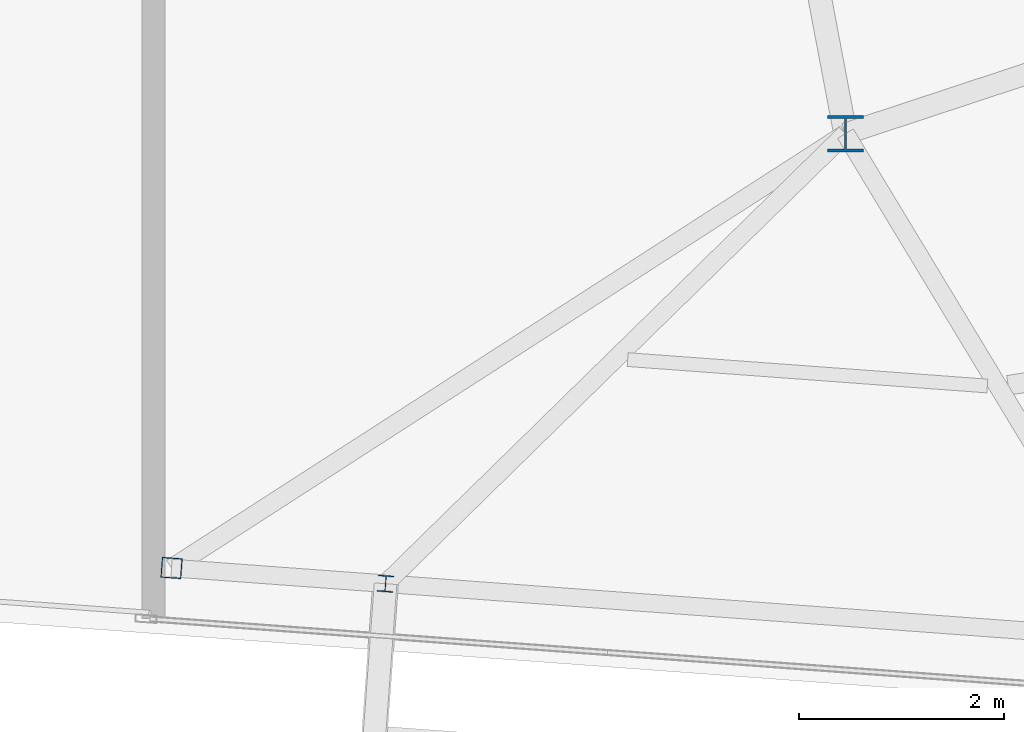
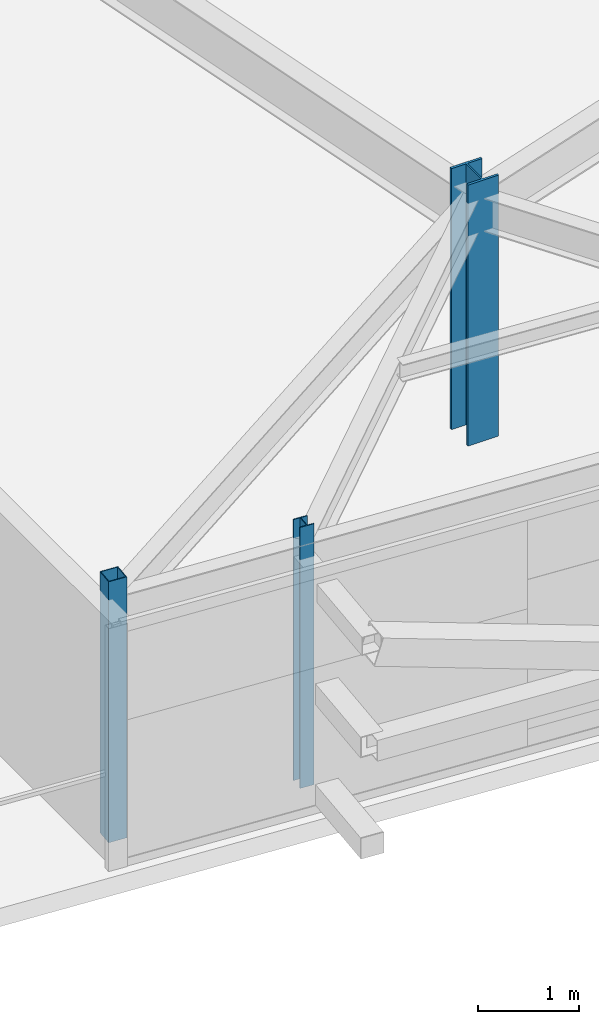
# One storey, part 2 of 36: 3 columns.
"""IFC4 building model written with IfcOpenShell, lengths in metres."""

import ifcopenshell
import ifcopenshell.guid

model = None  # the IFC model being written
_history = None  # IfcOwnerHistory: only IFC2X3 demands one
_inside = {}  # id of a spatial element -> (the spatial element, [elements in it])
_under = {}  # id of a project, library or spatial element -> (it, [spatial elements below it])
_declared = {}  # id of a project -> (the project, [libraries it declares])
_typed = {}  # id of a type object -> (the type object, [elements of that type])
_made_of = {}  # id of a material, layer set ... -> (it, [elements and type objects made of it])


def new_model(schema):
    """Start an empty IFC model of exactly this schema.

    Asked for "IFC4X3", IfcOpenShell would pick the latest addendum, in which some entities
    have other attributes; the version numbers below select the first issue.
    IFC2X3 requires an IfcOwnerHistory on every rooted entity: one is made here for all.
    """
    global model, _history
    if schema == "IFC4X3":
        model = ifcopenshell.file(schema_version=(4, 3, 0, 0))
    else:
        model = ifcopenshell.file(schema=schema)
    _inside.clear()
    _under.clear()
    _declared.clear()
    _typed.clear()
    _made_of.clear()
    _history = None
    if model.schema == "IFC2X3":
        org = make("IfcOrganization", Name="unknown")
        user = make(
            "IfcPersonAndOrganization",
            ThePerson=make("IfcPerson", FamilyName="unknown"),
            TheOrganization=org,
        )
        app = make(
            "IfcApplication",
            ApplicationDeveloper=org,
            Version="unknown",
            ApplicationFullName="unknown",
            ApplicationIdentifier="unknown",
        )
        _history = make(
            "IfcOwnerHistory",
            OwningUser=user,
            OwningApplication=app,
            ChangeAction="ADDED",
            CreationDate=0,
        )
    return model


def make(cls, **values):
    """One entity of the class cls with the attributes given. An attribute that is None is left unset."""
    return model.create_entity(
        cls, **{name: value for name, value in values.items() if value is not None}
    )


def rooted(cls, **values):
    """An entity with a GlobalId (a new one), such as an element, a storey or a relation."""
    return make(cls, GlobalId=ifcopenshell.guid.new(), OwnerHistory=_history, **values)


def si_unit(unit_type, name, prefix=None):
    """IfcSIUnit, for example si_unit("LENGTHUNIT", "METRE", prefix="MILLI")."""
    return make("IfcSIUnit", UnitType=unit_type, Prefix=prefix, Name=name)


def assignment(units):
    """IfcUnitAssignment: the units of a project."""
    return None if units is None else make("IfcUnitAssignment", Units=units)


def point(xyz):
    """IfcCartesianPoint."""
    return None if xyz is None else make("IfcCartesianPoint", Coordinates=xyz)


def direction(xyz):
    """IfcDirection."""
    return None if xyz is None else make("IfcDirection", DirectionRatios=xyz)


def frame(location, z_axis=None, x_axis=None):
    """IfcAxis2Placement3D, a coordinate frame: its origin and axes. An axis left out is left unset."""
    return make(
        "IfcAxis2Placement3D",
        Location=point(location),
        Axis=direction(z_axis),
        RefDirection=direction(x_axis),
    )


def frame_2d(location, x_axis=None):
    """IfcAxis2Placement2D, a coordinate frame in the plane: its origin and x axis."""
    return make(
        "IfcAxis2Placement2D", Location=point(location), RefDirection=direction(x_axis)
    )


def origin():
    """The frame at (0, 0, 0) with its axes left unset."""
    return frame((0.0, 0.0, 0.0))


def origin_2d():
    """The frame at (0, 0) in the plane with its x axis left unset."""
    return frame_2d((0.0, 0.0))


def place(relative_to, where):
    """IfcLocalPlacement: puts the frame where relative to a parent placement (None: the world)."""
    return make(
        "IfcLocalPlacement", PlacementRelTo=relative_to, RelativePlacement=where
    )


def context(
    kind, dimensions, precision=None, world=None, true_north=None, identifier=None
):
    """IfcGeometricRepresentationContext, for example the 3D "Model" context."""
    return make(
        "IfcGeometricRepresentationContext",
        ContextIdentifier=identifier,
        ContextType=kind,
        CoordinateSpaceDimension=dimensions,
        Precision=precision,
        WorldCoordinateSystem=world,
        TrueNorth=true_north,
    )


def subcontext(parent, identifier, kind, view, scale=None):
    """IfcGeometricRepresentationSubContext, for example "Body" below "Model"."""
    return make(
        "IfcGeometricRepresentationSubContext",
        ContextIdentifier=identifier,
        ContextType=kind,
        ParentContext=parent,
        TargetScale=scale,
        TargetView=view,
    )


def project(units=None, contexts=None):
    """IfcProject with its units and contexts."""
    return rooted(
        "IfcProject",
        Name="project",
        RepresentationContexts=contexts,
        UnitsInContext=assignment(units),
    )


def spatial(cls, under=None, at=None, **own):
    """A site, building, storey or space (cls), placed at a placement, below another one or the project."""
    s = rooted(cls, ObjectPlacement=at, **own)
    if under is not None:
        _under.setdefault(under.id(), (under, []))[1].append(s)
    return s


def profile(cls, at=None, kind="AREA", **sizes):
    """A parametric profile (cls). Its sizes go by their IFC names, for example OverallWidth=200.0."""
    return make(cls, ProfileType=kind, Position=at, **sizes)


def hollow_rectangle(**sizes):
    """IfcRectangleHollowProfileDef."""
    return profile("IfcRectangleHollowProfileDef", **sizes)


def i_section(**sizes):
    """IfcIShapeProfileDef."""
    return profile("IfcIShapeProfileDef", **sizes)


def extrude(swept, where, along, depth):
    """IfcExtrudedAreaSolid: the profile swept, set in the frame where, extruded along a direction by depth."""
    return make(
        "IfcExtrudedAreaSolid",
        SweptArea=swept,
        Position=where,
        ExtrudedDirection=direction(along),
        Depth=depth,
    )


def shape(context_of_items, identifier, shape_type, items):
    """IfcShapeRepresentation: the items that make up one representation, for example the "Body"."""
    return make(
        "IfcShapeRepresentation",
        ContextOfItems=context_of_items,
        RepresentationIdentifier=identifier,
        RepresentationType=shape_type,
        Items=items,
    )


def source(mapping_origin, context_of_items, identifier, shape_type, items):
    """IfcRepresentationMap: a shape defined once, which mapped items show again and again."""
    return make(
        "IfcRepresentationMap",
        MappingOrigin=mapping_origin,
        MappedRepresentation=shape(context_of_items, identifier, shape_type, items),
    )


def transform(
    local_origin,
    x_axis=None,
    y_axis=None,
    z_axis=None,
    scale=None,
    scale2=None,
    scale3=None,
    uniform=True,
):
    """IfcCartesianTransformationOperator3D, or its non-uniform kind. x_axis, y_axis, z_axis: its Axis1, 2, 3."""
    if uniform:
        return make(
            "IfcCartesianTransformationOperator3D",
            Axis1=direction(x_axis),
            Axis2=direction(y_axis),
            LocalOrigin=point(local_origin),
            Scale=scale,
            Axis3=direction(z_axis),
        )
    return make(
        "IfcCartesianTransformationOperator3DnonUniform",
        Axis1=direction(x_axis),
        Axis2=direction(y_axis),
        LocalOrigin=point(local_origin),
        Scale=scale,
        Axis3=direction(z_axis),
        Scale2=scale2,
        Scale3=scale3,
    )


def mapped(mapping_source, mapping_target):
    """IfcMappedItem: shows the shape of a source again, moved by a transform."""
    return make(
        "IfcMappedItem", MappingSource=mapping_source, MappingTarget=mapping_target
    )


def material(Name=None, Category=None):
    """IfcMaterial."""
    return make("IfcMaterial", Name=Name, Category=Category)


def material_profile(
    of_material, cross_section, Name=None, Category=None, Priority=None
):
    """IfcMaterialProfile: a cross section and its material."""
    return make(
        "IfcMaterialProfile",
        Name=Name,
        Material=of_material,
        Profile=cross_section,
        Priority=Priority,
        Category=Category,
    )


def profile_set(profiles, Name=None, composite=None):
    """IfcMaterialProfileSet."""
    return make(
        "IfcMaterialProfileSet",
        Name=Name,
        MaterialProfiles=profiles,
        CompositeProfile=composite,
    )


def made_of(thing, what):
    """Note that an element or type object is made of a material, layer set ...; save() writes the relation."""
    if what is not None:
        _made_of.setdefault(what.id(), (what, []))[1].append(thing)
    return thing


def type_object(cls, material=None, **own):
    """A type object (cls), such as IfcWallType, which elements share."""
    return made_of(rooted(cls, **own), material)


def element(
    cls,
    number,
    at=None,
    inside=None,
    cuts=None,
    type_object=None,
    material=None,
    context=None,
    identifier="Body",
    shape_type=None,
    held_by="IfcProductDefinitionShape",
    body=None,
    shapes=None,
    **own,
):
    """One element of the class cls, such as IfcWall. Its Tag is "e" and its number.

    at: its placement. inside: the storey or other place that contains it. cuts: it is an
    opening in that element (IfcRelVoidsElement). A single representation is given by context,
    identifier, shape_type and body (its items); several are given by shapes. held_by: the class
    of the entity that holds the representations. save() writes the other relations.
    """
    e = rooted(cls, Tag="e%d" % number, ObjectPlacement=at, **own)
    if body is not None:
        shapes = [shape(context, identifier, shape_type, body)]
    if shapes is not None:
        e.Representation = make(held_by, Representations=shapes)
    if inside is not None:
        _inside.setdefault(inside.id(), (inside, []))[1].append(e)
    if cuts is not None:
        rooted(
            "IfcRelVoidsElement", RelatingBuildingElement=cuts, RelatedOpeningElement=e
        )
    if type_object is not None:
        _typed.setdefault(type_object.id(), (type_object, []))[1].append(e)
    return made_of(e, material)


def aggregate(whole, parts):
    """IfcRelAggregates: a whole, such as a stair, and the parts it consists of."""
    return rooted("IfcRelAggregates", RelatingObject=whole, RelatedObjects=parts)


def save(model, path):
    """Write the relations noted so far, then the file.

    IfcRelAggregates (storeys below a building ...), IfcRelContainedInSpatialStructure (elements
    in a storey), IfcRelDefinesByType, IfcRelAssociatesMaterial and IfcRelDeclares: one each for
    every whole, place, type object, material and project.
    """
    for whole, parts in _under.values():
        aggregate(whole, parts)
    for where, things in _inside.values():
        rooted(
            "IfcRelContainedInSpatialStructure",
            RelatedElements=things,
            RelatingStructure=where,
        )
    for kind, things in _typed.values():
        rooted("IfcRelDefinesByType", RelatedObjects=things, RelatingType=kind)
    for what, things in _made_of.values():
        rooted("IfcRelAssociatesMaterial", RelatedObjects=things, RelatingMaterial=what)
    for by, libraries in _declared.values():
        rooted("IfcRelDeclares", RelatingContext=by, RelatedDefinitions=libraries)
    model.write(path)


model = new_model("IFC4")

# Units and contexts
model_context = context("Model", 3, precision=1e-05, world=origin(), true_north=direction((0.0, 1.0)))
body_context = subcontext(model_context, "Body", "Model", "MODEL_VIEW")
ifc_project = project(units=[si_unit("LENGTHUNIT", "METRE"), si_unit("AREAUNIT", "SQUARE_METRE"), si_unit("VOLUMEUNIT", "CUBIC_METRE"), si_unit("PLANEANGLEUNIT", "RADIAN"), si_unit("MASSUNIT", "GRAM", prefix="KILO")], contexts=[model_context])

# Site, building, storey
site_placement = place(None, origin())
site = spatial("IfcSite", under=ifc_project, at=site_placement, CompositionType="ELEMENT")
building_placement = place(site_placement, origin())
building = spatial("IfcBuilding", under=site, at=building_placement, Name="Taldren Reach Tower", CompositionType="ELEMENT")
storey_placement = place(building_placement, frame((0.0, 0.0, 227.14990234375)))
storey = spatial("IfcBuildingStorey", under=building, at=storey_placement, Name="L69", CompositionType="ELEMENT", Elevation=227.14990234375)

# Columns
ifc_material_1 = material(Name="Steel Gr 350 (350PLUS)", Category="steel")
ifc_material_profile_1 = material_profile(ifc_material_1, i_section(OverallWidth=0.35009765625, OverallDepth=0.35595703125, WebThickness=0.01806640625, FlangeThickness=0.028076171875, at=origin_2d()), Name="350WC197")
ifc_profile_set_1 = profile_set([ifc_material_profile_1], Name="Steel Gr 350 (350PLUS)")
column_type_1 = type_object("IfcColumnType", Name="COL-WC350", PredefinedType="COLUMN", material=ifc_profile_set_1)
shared_shape_1 = source(origin(), body_context, "Body", "SweptSolid", [
    extrude(i_section(OverallWidth=0.35009765625, OverallDepth=0.35595703125, WebThickness=0.01806640625, FlangeThickness=0.028076171875, at=origin_2d()), origin(), (0.0, 0.0, 1.0), 3.150146484375),
])
column_1_placement = place(storey_placement, frame((42.0, 9.199951171875, 0.0), z_axis=(0.0, 0.0, 1.0), x_axis=(1.0, 0.0, 0.0)))
element("IfcColumn", 1, at=column_1_placement, inside=storey, type_object=column_type_1, Name="Mega column MC-PJE L69", PredefinedType="COLUMN", context=body_context, shape_type="MappedRepresentation", body=[
    mapped(shared_shape_1, transform((0.0, 0.0, 0.0), scale=1.0)),
])
ifc_material_2 = material(Name="Steel Gr 350 (C350L0)", Category="steel")
ifc_material_profile_2 = material_profile(ifc_material_2, hollow_rectangle(XDim=0.199951171875, YDim=0.199951171875, WallThickness=0.009033203125, at=origin_2d()), Name="200x200x9.0SHS")
ifc_profile_set_2 = profile_set([ifc_material_profile_2], Name="Steel Gr 350 (C350L0)")
column_type_2 = type_object("IfcColumnType", Name="COL-SHS200", PredefinedType="COLUMN", material=ifc_profile_set_2)
shared_shape_2 = source(origin(), body_context, "Body", "SweptSolid", [
    extrude(hollow_rectangle(XDim=0.199951171875, YDim=0.199951171875, WallThickness=0.009033203125, at=origin_2d()), origin(), (0.0, 0.0, 1.0), 3.150146484375),
])
column_2_placement = place(storey_placement, frame((35.43603515625, 4.9697265625, 0.0), z_axis=(0.0, 0.0, 1.0), x_axis=(0.997314477224, -0.073238197128, 0.0)))
element("IfcColumn", 2, at=column_2_placement, inside=storey, type_object=column_type_2, Name="Block B5 perimeter column PJ2 L69", PredefinedType="COLUMN", context=body_context, shape_type="MappedRepresentation", body=[
    mapped(shared_shape_2, transform((0.0, 0.0, 0.0), scale=1.0)),
])
ifc_material_profile_3 = material_profile(ifc_material_1, i_section(OverallWidth=0.154052734375, OverallDepth=0.162109375, WebThickness=0.008056640625, FlangeThickness=0.011474609375, at=origin_2d()), Name="150UC37.2")
ifc_profile_set_3 = profile_set([ifc_material_profile_3], Name="Steel Gr 350 (350PLUS)")
column_type_3 = type_object("IfcColumnType", Name="COL-UC150", PredefinedType="COLUMN", material=ifc_profile_set_3)
shared_shape_3 = source(origin(), body_context, "Body", "SweptSolid", [
    extrude(i_section(OverallWidth=0.154052734375, OverallDepth=0.162109375, WebThickness=0.008056640625, FlangeThickness=0.011474609375, at=origin_2d()), origin(), (0.0, 0.0, 1.0), 3.150146484375),
])
column_3_placement = place(storey_placement, frame((37.5205078125, 4.81689453125, 0.0), z_axis=(0.0, 0.0, 1.0), x_axis=(0.997314477224, -0.073238197128, 0.0)))
element("IfcColumn", 3, at=column_3_placement, inside=storey, type_object=column_type_3, Name="Block B5 perimeter column S4 L69", PredefinedType="COLUMN", context=body_context, shape_type="MappedRepresentation", body=[
    mapped(shared_shape_3, transform((0.0, 0.0, 0.0), scale=1.0)),
])

save(model, "model.ifc")
